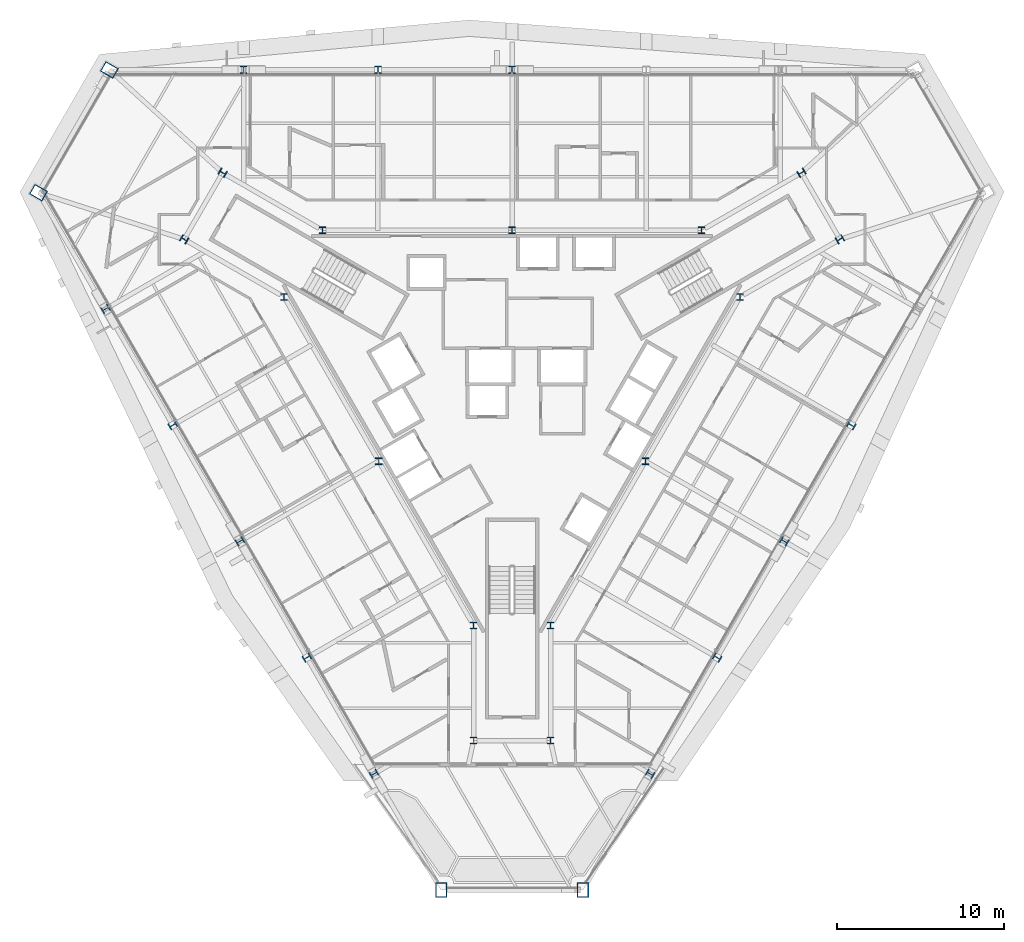
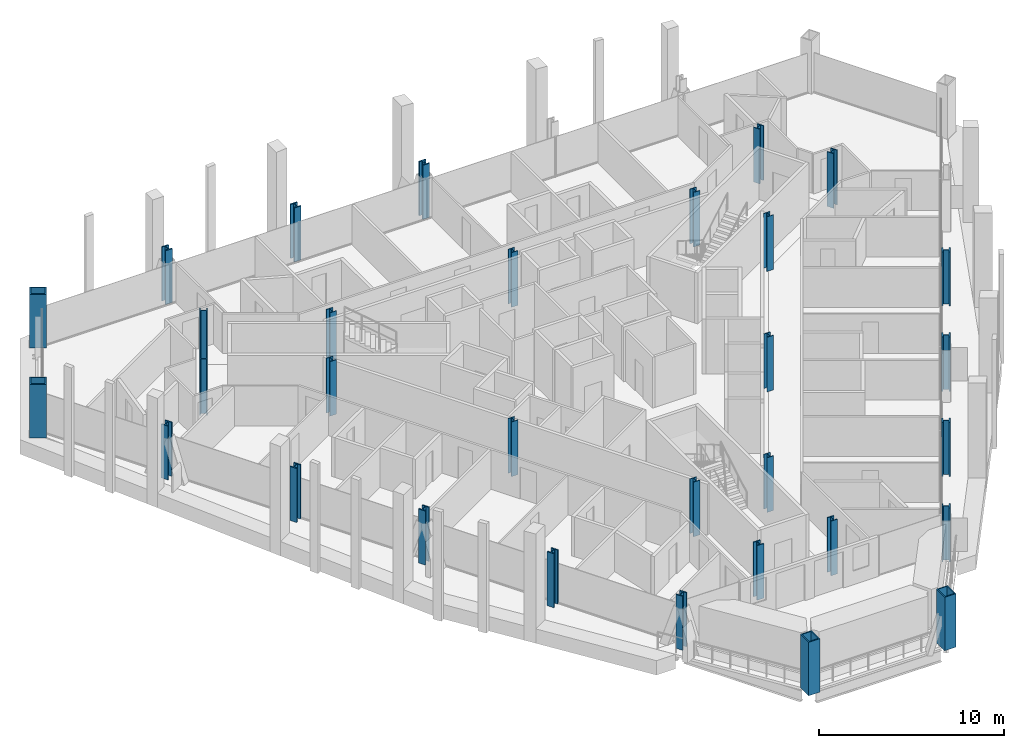
# One storey, part 1 of 16: 31 columns.
"""IFC4 building model written with IfcOpenShell, lengths in metres."""

from ifc_helpers import new_model, si_unit, direction, frame, origin, origin_2d, place, context, subcontext, project, spatial, hollow_rectangle, i_section, extrude, material, material_profile, profile_set, type_object, element, save


model = new_model("IFC4")

# Units and contexts
model_context = context("Model", 3, precision=1e-05, world=origin(), true_north=direction((0.0, 1.0)))
body_context = subcontext(model_context, "Body", "Model", "MODEL_VIEW")
ifc_project = project(units=[si_unit("LENGTHUNIT", "METRE"), si_unit("AREAUNIT", "SQUARE_METRE"), si_unit("VOLUMEUNIT", "CUBIC_METRE"), si_unit("PLANEANGLEUNIT", "RADIAN"), si_unit("MASSUNIT", "GRAM", prefix="KILO")], contexts=[model_context])

# Site, building, storey
site_placement = place(None, origin())
site = spatial("IfcSite", under=ifc_project, at=site_placement, CompositionType="ELEMENT")
building_placement = place(site_placement, origin())
building = spatial("IfcBuilding", under=site, at=building_placement, Name="Verrane Prism Tower", CompositionType="ELEMENT")
storey_placement = place(building_placement, frame((0.0, 0.0, 114.39990234375)))
storey = spatial("IfcBuildingStorey", under=building, at=storey_placement, Name="L27", CompositionType="ELEMENT", Elevation=114.39990234375)

# Columns
ifc_material_1 = material(Name="Steel A992", Category="steel")
ifc_material_profile_1 = material_profile(ifc_material_1, i_section(OverallWidth=0.411376953125, OverallDepth=0.434326171875, WebThickness=0.035888671875, FlangeThickness=0.057373046875, FilletRadius=0.01513671875, at=origin_2d()), Name="W14x311")
ifc_profile_set_1 = profile_set([ifc_material_profile_1], Name="Steel A992")
column_type_1 = type_object("IfcColumnType", Name="Core corner column W14x311", PredefinedType="COLUMN", material=ifc_profile_set_1)
for number, where, z_axis, x_axis, name in (
    (1, (19.60009765625, 8.659912109375, 0.0), (0.0, 0.0, 1.0), (0.5, -0.866025403784, 0.0), "Core corner column CK-NEm L27"),
    (2, (17.300048828125, 12.639892578125, 0.0), (0.0, 0.0, 1.0), (0.5, -0.866025403784, 0.0), "Core corner column CK-NEp L27"),
    (3, (-17.300048828125, 12.639892578125, 0.0), (0.0, 0.0, 1.0), (0.5, 0.866025403784, 0.0), "Core corner column CK-NWm L27"),
    (4, (-19.60009765625, 8.659912109375, 0.0), (0.0, 0.0, 1.0), (0.5, 0.866025403784, 0.0), "Core corner column CK-NWp L27"),
    (5, (-2.300048828125, -21.300048828125, 0.0), (0.0, 0.0, 1.0), (-1.0, 0.0, 0.0), "Core corner column CK-Sm L27"),
    (6, (2.300048828125, -21.300048828125, 0.0), (0.0, 0.0, 1.0), (-1.0, 0.0, 0.0), "Core corner column CK-Sp L27"),
):
    element("IfcColumn", number, at=place(storey_placement, frame(where, z_axis=z_axis, x_axis=x_axis)), inside=storey, type_object=column_type_1, Name=name, PredefinedType="COLUMN", context=body_context, shape_type="SweptSolid", body=[
        extrude(i_section(OverallWidth=0.411376953125, OverallDepth=0.434326171875, WebThickness=0.035888671875, FlangeThickness=0.057373046875, FilletRadius=0.01513671875, at=origin_2d()), origin(), (0.0, 0.0, 1.0), 3.60009765625),
    ])
ifc_material_2 = material(Name="Steel A992", Category="steel")
ifc_material_profile_2 = material_profile(ifc_material_2, i_section(OverallWidth=0.4013671875, OverallDepth=0.398681640625, WebThickness=0.02490234375, FlangeThickness=0.03955078125, FilletRadius=0.01513671875, at=origin_2d()), Name="W14x211")
ifc_profile_set_2 = profile_set([ifc_material_profile_2], Name="Steel A992")
column_type_2 = type_object("IfcColumnType", Name="Core side column W14x211", PredefinedType="COLUMN", material=ifc_profile_set_2)
for number, where, z_axis, x_axis, name in (
    (7, (13.6298828125, 5.219970703125, 0.0), (0.0, 0.0, 1.0), (1.0, 0.0, 0.0), "Core side column CC-NEm L27"),
    (8, (11.330078125, 9.199951171875, 0.0), (0.0, 0.0, 1.0), (1.0, 0.0, 0.0), "Core side column CC-NEp L27"),
    (9, (0.0, 9.199951171875, 0.0), (0.0, 0.0, 1.0), (1.0, 0.0, 0.0), "Core side column CC-N0 L27"),
    (10, (-11.330078125, 9.199951171875, 0.0), (0.0, 0.0, 1.0), (1.0, 0.0, 0.0), "Core side column CC-NWm L27"),
    (11, (-13.6298828125, 5.219970703125, 0.0), (0.0, 0.0, 1.0), (1.0, 0.0, 0.0), "Core side column CC-NWp L27"),
    (12, (-7.969970703125, -4.60009765625, 0.0), (0.0, 0.0, 1.0), (1.0, 0.0, 0.0), "Core side column CC-SW0 L27"),
    (13, (-2.300048828125, -14.419921875, 0.0), (0.0, 0.0, 1.0), (1.0, 0.0, 0.0), "Core side column CC-Sm L27"),
    (14, (2.300048828125, -14.419921875, 0.0), (0.0, 0.0, 1.0), (1.0, 0.0, 0.0), "Core side column CC-Sp L27"),
    (15, (7.969970703125, -4.60009765625, 0.0), (0.0, 0.0, 1.0), (1.0, 0.0, 0.0), "Core side column CC-SE0 L27"),
):
    element("IfcColumn", number, at=place(storey_placement, frame(where, z_axis=z_axis, x_axis=x_axis)), inside=storey, type_object=column_type_2, Name=name, PredefinedType="COLUMN", context=body_context, shape_type="SweptSolid", body=[
        extrude(i_section(OverallWidth=0.4013671875, OverallDepth=0.398681640625, WebThickness=0.02490234375, FlangeThickness=0.03955078125, FilletRadius=0.01513671875, at=origin_2d()), origin(), (0.0, 0.0, 1.0), 3.60009765625),
    ])
ifc_material_3 = material(Name="Steel A572 Grade 50", Category="steel")
ifc_material_profile_3 = material_profile(ifc_material_3, hollow_rectangle(XDim=0.699951171875, YDim=0.89990234375, WallThickness=0.06494140625, at=origin_2d()), Name="BOX 900x700x65")
ifc_profile_set_3 = profile_set([ifc_material_profile_3], Name="Steel A572 Grade 50")
column_type_3 = type_object("IfcColumnType", Name="Megacolumn BOX 900x700x65", PredefinedType="COLUMN", material=ifc_profile_set_3)
for number, where, z_axis, x_axis, name in (
    (16, (-24.070068359375, 18.7900390625, 0.0), (0.0, 0.0, 1.0), (0.5, 0.866025403784, 0.0), "Megacolumn MC-NW.a L27"),
    (17, (-28.31005859375, 11.449951171875, 0.0), (0.0, 0.0, 1.0), (0.5, 0.866025403784, 0.0), "Megacolumn MC-NW.b L27"),
    (18, (-4.239990234375, -30.239990234375, 0.0), (0.0, 0.0, 1.0), (-1.0, 0.0, 0.0), "Megacolumn MC-S.a L27"),
    (19, (4.239990234375, -30.239990234375, 0.0), (0.0, 0.0, 1.0), (-1.0, 0.0, 0.0), "Megacolumn MC-S.b L27"),
):
    element("IfcColumn", number, at=place(storey_placement, frame(where, z_axis=z_axis, x_axis=x_axis)), inside=storey, type_object=column_type_3, Name=name, PredefinedType="COLUMN", context=body_context, shape_type="SweptSolid", body=[
        extrude(hollow_rectangle(XDim=0.699951171875, YDim=0.89990234375, WallThickness=0.06494140625, at=origin_2d()), origin(), (0.0, 0.0, 1.0), 3.525146484375),
    ])
ifc_material_4 = material(Name="Steel A992", Category="steel")
ifc_material_profile_4 = material_profile(ifc_material_4, i_section(OverallWidth=0.424072265625, OverallDepth=0.47509765625, WebThickness=0.0478515625, FlangeThickness=0.0771484375, FilletRadius=0.014892578125, at=origin_2d()), Name="W14x426")
ifc_profile_set_4 = profile_set([ifc_material_profile_4], Name="Steel A992")
column_type_4 = type_object("IfcColumnType", Name="Perimeter column W14x426", PredefinedType="COLUMN", material=ifc_profile_set_4)
column_1_placement = place(storey_placement, frame((0.0, 18.7900390625, 0.0), z_axis=(0.0, 0.0, 1.0), x_axis=(1.0, 0.0, 0.0)))
element("IfcColumn", 20, at=column_1_placement, inside=storey, type_object=column_type_4, Name="Perimeter column PC-N3 L27", PredefinedType="COLUMN", context=body_context, shape_type="SweptSolid", body=[
    extrude(i_section(OverallWidth=0.424072265625, OverallDepth=0.47509765625, WebThickness=0.0478515625, FlangeThickness=0.0771484375, FilletRadius=0.014892578125, at=origin_2d()), origin(), (0.0, 0.0, 1.0), 3.565185546875),
])
column_2_placement = place(storey_placement, frame((-8.02001953125, 18.7900390625, 0.0), z_axis=(0.0, 0.0, 1.0), x_axis=(1.0, 0.0, 0.0)))
element("IfcColumn", 21, at=column_2_placement, inside=storey, type_object=column_type_4, Name="Perimeter column PC-N4 L27", PredefinedType="COLUMN", context=body_context, shape_type="SweptSolid", body=[
    extrude(i_section(OverallWidth=0.424072265625, OverallDepth=0.47509765625, WebThickness=0.0478515625, FlangeThickness=0.0771484375, FilletRadius=0.014892578125, at=origin_2d()), origin(), (0.0, 0.0, 1.0), 3.56005859375),
])
for number, where, z_axis, x_axis, name in (
    (22, (-16.0400390625, 18.7900390625, 0.0), (0.0, 0.0, 1.0), (1.0, 0.0, 0.0), "Perimeter column PC-N5 L27"),
    (23, (-24.300048828125, 4.5, 0.0), (0.0, 0.0, 1.0), (-0.5, 0.866025403784, 0.0), "Perimeter column PC-SW1 L27"),
):
    element("IfcColumn", number, at=place(storey_placement, frame(where, z_axis=z_axis, x_axis=x_axis)), inside=storey, type_object=column_type_4, Name=name, PredefinedType="COLUMN", context=body_context, shape_type="SweptSolid", body=[
        extrude(i_section(OverallWidth=0.424072265625, OverallDepth=0.47509765625, WebThickness=0.0478515625, FlangeThickness=0.0771484375, FilletRadius=0.014892578125, at=origin_2d()), origin(), (0.0, 0.0, 1.0), 3.55517578125),
    ])
column_3_placement = place(storey_placement, frame((-20.280029296875, -2.449951171875, 0.0), z_axis=(0.0, 0.0, 1.0), x_axis=(-0.5, 0.866025403784, 0.0)))
element("IfcColumn", 24, at=column_3_placement, inside=storey, type_object=column_type_4, Name="Perimeter column PC-SW2 L27", PredefinedType="COLUMN", context=body_context, shape_type="SweptSolid", body=[
    extrude(i_section(OverallWidth=0.424072265625, OverallDepth=0.47509765625, WebThickness=0.0478515625, FlangeThickness=0.0771484375, FilletRadius=0.014892578125, at=origin_2d()), origin(), (0.0, 0.0, 1.0), 3.56005859375),
])
column_4_placement = place(storey_placement, frame((-16.27001953125, -9.389892578125, 0.0), z_axis=(0.0, 0.0, 1.0), x_axis=(-0.5, 0.866025403784, 0.0)))
element("IfcColumn", 25, at=column_4_placement, inside=storey, type_object=column_type_4, Name="Perimeter column PC-SW3 L27", PredefinedType="COLUMN", context=body_context, shape_type="SweptSolid", body=[
    extrude(i_section(OverallWidth=0.424072265625, OverallDepth=0.47509765625, WebThickness=0.0478515625, FlangeThickness=0.0771484375, FilletRadius=0.014892578125, at=origin_2d()), origin(), (0.0, 0.0, 1.0), 3.565185546875),
])
column_5_placement = place(storey_placement, frame((-12.260009765625, -16.340087890625, 0.0), z_axis=(0.0, 0.0, 1.0), x_axis=(-0.5, 0.866025403784, 0.0)))
element("IfcColumn", 26, at=column_5_placement, inside=storey, type_object=column_type_4, Name="Perimeter column PC-SW4 L27", PredefinedType="COLUMN", context=body_context, shape_type="SweptSolid", body=[
    extrude(i_section(OverallWidth=0.424072265625, OverallDepth=0.47509765625, WebThickness=0.0478515625, FlangeThickness=0.0771484375, FilletRadius=0.014892578125, at=origin_2d()), origin(), (0.0, 0.0, 1.0), 3.56005859375),
])
for number, where, z_axis, x_axis, name in (
    (27, (-8.25, -23.2900390625, 0.0), (0.0, 0.0, 1.0), (-0.5, 0.866025403784, 0.0), "Perimeter column PC-SW5 L27"),
    (28, (8.25, -23.2900390625, 0.0), (0.0, 0.0, 1.0), (-0.5, -0.866025403784, 0.0), "Perimeter column PC-SE1 L27"),
):
    element("IfcColumn", number, at=place(storey_placement, frame(where, z_axis=z_axis, x_axis=x_axis)), inside=storey, type_object=column_type_4, Name=name, PredefinedType="COLUMN", context=body_context, shape_type="SweptSolid", body=[
        extrude(i_section(OverallWidth=0.424072265625, OverallDepth=0.47509765625, WebThickness=0.0478515625, FlangeThickness=0.0771484375, FilletRadius=0.014892578125, at=origin_2d()), origin(), (0.0, 0.0, 1.0), 3.55517578125),
    ])
column_6_placement = place(storey_placement, frame((12.260009765625, -16.340087890625, 0.0), z_axis=(0.0, 0.0, 1.0), x_axis=(-0.5, -0.866025403784, 0.0)))
element("IfcColumn", 29, at=column_6_placement, inside=storey, type_object=column_type_4, Name="Perimeter column PC-SE2 L27", PredefinedType="COLUMN", context=body_context, shape_type="SweptSolid", body=[
    extrude(i_section(OverallWidth=0.424072265625, OverallDepth=0.47509765625, WebThickness=0.0478515625, FlangeThickness=0.0771484375, FilletRadius=0.014892578125, at=origin_2d()), origin(), (0.0, 0.0, 1.0), 3.56005859375),
])
column_7_placement = place(storey_placement, frame((16.27001953125, -9.389892578125, 0.0), z_axis=(0.0, 0.0, 1.0), x_axis=(-0.5, -0.866025403784, 0.0)))
element("IfcColumn", 30, at=column_7_placement, inside=storey, type_object=column_type_4, Name="Perimeter column PC-SE3 L27", PredefinedType="COLUMN", context=body_context, shape_type="SweptSolid", body=[
    extrude(i_section(OverallWidth=0.424072265625, OverallDepth=0.47509765625, WebThickness=0.0478515625, FlangeThickness=0.0771484375, FilletRadius=0.014892578125, at=origin_2d()), origin(), (0.0, 0.0, 1.0), 3.565185546875),
])
column_8_placement = place(storey_placement, frame((20.280029296875, -2.449951171875, 0.0), z_axis=(0.0, 0.0, 1.0), x_axis=(-0.5, -0.866025403784, 0.0)))
element("IfcColumn", 31, at=column_8_placement, inside=storey, type_object=column_type_4, Name="Perimeter column PC-SE4 L27", PredefinedType="COLUMN", context=body_context, shape_type="SweptSolid", body=[
    extrude(i_section(OverallWidth=0.424072265625, OverallDepth=0.47509765625, WebThickness=0.0478515625, FlangeThickness=0.0771484375, FilletRadius=0.014892578125, at=origin_2d()), origin(), (0.0, 0.0, 1.0), 3.56005859375),
])

save(model, "model.ifc")
